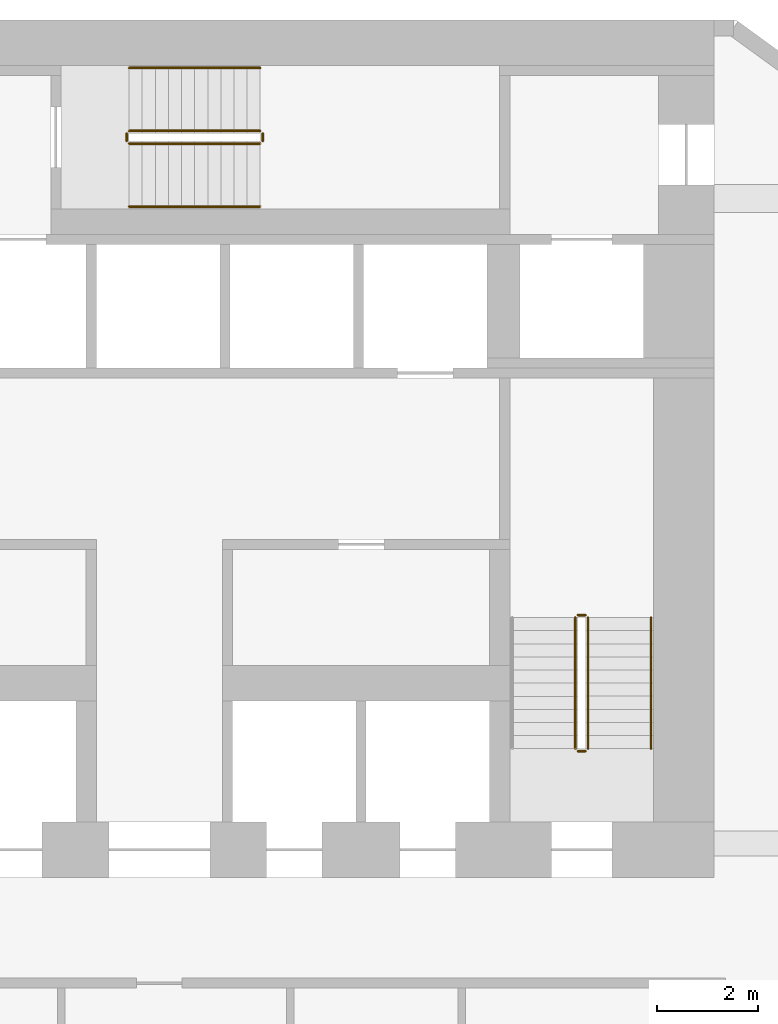
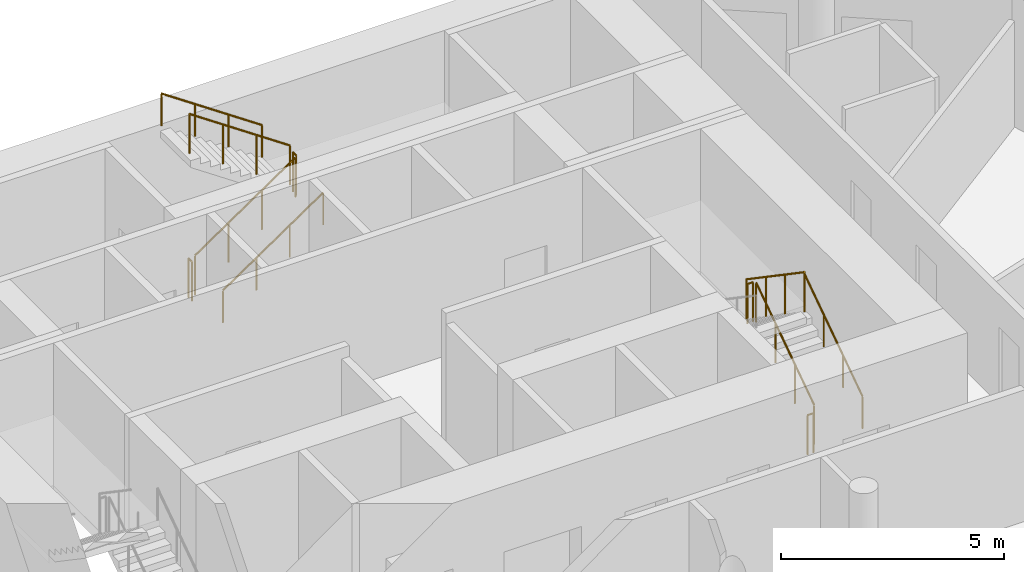
# One storey, part 9 of 9: 11 railings.
"""IFC4 building model written with IfcOpenShell, lengths in metres."""

from ifc_helpers import new_model, si_unit, direction, frame, origin, origin_2d, place, context, subcontext, project, spatial, circle, extrude, material, type_object, element, save


model = new_model("IFC4")

# Units and contexts
model_context = context("Model", 3, precision=1e-05, world=origin(), true_north=direction((0.0, 1.0)))
body_context = subcontext(model_context, "Body", "Model", "MODEL_VIEW")
ifc_project = project(units=[si_unit("LENGTHUNIT", "METRE"), si_unit("AREAUNIT", "SQUARE_METRE"), si_unit("VOLUMEUNIT", "CUBIC_METRE"), si_unit("PLANEANGLEUNIT", "RADIAN"), si_unit("MASSUNIT", "GRAM", prefix="KILO")], contexts=[model_context])

# Site, building, storey
site_placement = place(None, origin())
site = spatial("IfcSite", under=ifc_project, at=site_placement, CompositionType="ELEMENT")
building_placement = place(site_placement, origin())
building = spatial("IfcBuilding", under=site, at=building_placement, Name="White Candle Pilgrim Tower", CompositionType="ELEMENT")
storey_placement = place(building_placement, frame((0.0, 0.0, 106.39990234375)))
storey = spatial("IfcBuildingStorey", under=building, at=storey_placement, Name="L23", CompositionType="ELEMENT", Elevation=106.39990234375)

# Railings
ifc_material = material(Name="Stainless steel", Category="steel")
railing_type_1 = type_object("IfcRailingType", Name="Stair guard stainless steel 1100 mm", PredefinedType="GUARDRAIL", material=ifc_material)
railing_1_placement = place(storey_placement, frame((78.5, 73.550048828125, 0.177490234375)))
element("IfcRailing", 1, at=railing_1_placement, inside=storey, type_object=railing_type_1, Name="L23 ST2 stair guard 1", PredefinedType="GUARDRAIL", context=body_context, shape_type="SweptSolid", body=[
    extrude(circle(Radius=0.02392578125, at=origin_2d()), frame((0.0, 0.0, 1.076171875), z_axis=(0.0, 0.826215852431, 0.563353676824), x_axis=(-1.0, 0.0, 0.0)), (0.0, 0.0, 1.0), 3.146728515625),
    extrude(circle(Radius=0.02099609375, at=origin_2d()), origin(), (0.0, 0.0, 1.0), 1.052001953125),
    extrude(circle(Radius=0.02099609375, at=origin_2d()), frame((0.0, 0.86669921875, 0.5908203125)), (0.0, 0.0, 1.0), 1.052001953125),
    extrude(circle(Radius=0.02099609375, at=origin_2d()), frame((0.0, 1.733154296875, 1.181884765625)), (0.0, 0.0, 1.0), 1.052001953125),
    extrude(circle(Radius=0.02099609375, at=origin_2d()), frame((0.0, 2.599853515625, 1.772705078125)), (0.0, 0.0, 1.0), 1.052001953125),
])
railing_2_placement = place(storey_placement, frame((78.449951171875, 76.199951171875, 1.9501953125)))
element("IfcRailing", 2, at=railing_2_placement, inside=storey, type_object=railing_type_1, Name="L23 ST2 stair guard 2", PredefinedType="GUARDRAIL", context=body_context, shape_type="SweptSolid", body=[
    extrude(circle(Radius=0.02392578125, at=origin_2d()), frame((0.0, 0.0, 1.076171875), z_axis=(-1.0, 0.0, 0.0), x_axis=(0.0, -1.0, 0.0)), (0.0, 0.0, 1.0), 0.14990234375),
    extrude(circle(Radius=0.02099609375, at=origin_2d()), origin(), (0.0, 0.0, 1.0), 1.052001953125),
    extrude(circle(Radius=0.02099609375, at=origin_2d()), frame((-0.14990234375, 0.0, 0.0)), (0.0, 0.0, 1.0), 1.052001953125),
])
railing_3_placement = place(storey_placement, frame((78.25, 76.14990234375, 2.12744140625)))
element("IfcRailing", 3, at=railing_3_placement, inside=storey, type_object=railing_type_1, Name="L23 ST2 stair guard 3", PredefinedType="GUARDRAIL", context=body_context, shape_type="SweptSolid", body=[
    extrude(circle(Radius=0.02392578125, at=origin_2d()), frame((0.0, 0.0, 1.076171875), z_axis=(0.0, -0.826215852431, 0.563353676824), x_axis=(1.0, 0.0, 0.0)), (0.0, 0.0, 1.0), 3.146728515625),
    extrude(circle(Radius=0.02099609375, at=origin_2d()), origin(), (0.0, 0.0, 1.0), 1.052001953125),
    extrude(circle(Radius=0.02099609375, at=origin_2d()), frame((0.0, -0.86669921875, 0.5908203125)), (0.0, 0.0, 1.0), 1.052001953125),
    extrude(circle(Radius=0.02099609375, at=origin_2d()), frame((0.0, -1.733154296875, 1.181884765625)), (0.0, 0.0, 1.0), 1.052001953125),
    extrude(circle(Radius=0.02099609375, at=origin_2d()), frame((0.0, -2.599853515625, 1.772705078125)), (0.0, 0.0, 1.0), 1.052001953125),
])
railing_4_placement = place(storey_placement, frame((78.449951171875, 73.5, 0.0)))
element("IfcRailing", 4, at=railing_4_placement, inside=storey, type_object=railing_type_1, Name="L23 ST2 stair guard 4", PredefinedType="GUARDRAIL", context=body_context, shape_type="SweptSolid", body=[
    extrude(circle(Radius=0.02392578125, at=origin_2d()), frame((0.0, 0.0, 1.076171875), z_axis=(-1.0, 0.0, 0.0), x_axis=(0.0, -1.0, 0.0)), (0.0, 0.0, 1.0), 0.14990234375),
    extrude(circle(Radius=0.02099609375, at=origin_2d()), origin(), (0.0, 0.0, 1.0), 1.052001953125),
    extrude(circle(Radius=0.02099609375, at=origin_2d()), frame((-0.14990234375, 0.0, 0.0)), (0.0, 0.0, 1.0), 1.052001953125),
])
railing_5_placement = place(storey_placement, frame((69.39990234375, 85.550048828125, 0.177490234375)))
element("IfcRailing", 5, at=railing_5_placement, inside=storey, type_object=railing_type_1, Name="L23 ST3 stair guard 1", PredefinedType="GUARDRAIL", context=body_context, shape_type="SweptSolid", body=[
    extrude(circle(Radius=0.02392578125, at=origin_2d()), frame((0.0, 0.0, 1.076171875), z_axis=(0.826240473404, 0.0, 0.563317565952), x_axis=(0.0, 1.0, 0.0)), (0.0, 0.0, 1.0), 3.14697265625),
    extrude(circle(Radius=0.02099609375, at=origin_2d()), origin(), (0.0, 0.0, 1.0), 1.052001953125),
    extrude(circle(Radius=0.02099609375, at=origin_2d()), frame((0.86669921875, 0.0, 0.5908203125)), (0.0, 0.0, 1.0), 1.052001953125),
    extrude(circle(Radius=0.02099609375, at=origin_2d()), frame((1.7333984375, 0.0, 1.181884765625)), (0.0, 0.0, 1.0), 1.052001953125),
    extrude(circle(Radius=0.02099609375, at=origin_2d()), frame((2.60009765625, 0.0, 1.772705078125)), (0.0, 0.0, 1.0), 1.052001953125),
])
railing_6_placement = place(storey_placement, frame((72.050048828125, 85.60009765625, 1.9501953125)))
element("IfcRailing", 6, at=railing_6_placement, inside=storey, type_object=railing_type_1, Name="L23 ST3 stair guard 2", PredefinedType="GUARDRAIL", context=body_context, shape_type="SweptSolid", body=[
    extrude(circle(Radius=0.02392578125, at=origin_2d()), frame((0.0, 0.0, 1.076171875), z_axis=(0.0, 1.0, 0.0), x_axis=(-1.0, 0.0, 0.0)), (0.0, 0.0, 1.0), 0.14990234375),
    extrude(circle(Radius=0.02099609375, at=origin_2d()), origin(), (0.0, 0.0, 1.0), 1.052001953125),
    extrude(circle(Radius=0.02099609375, at=origin_2d()), frame((0.0, 0.14990234375, 0.0)), (0.0, 0.0, 1.0), 1.052001953125),
])
railing_7_placement = place(storey_placement, frame((72.0, 85.800048828125, 2.12744140625)))
element("IfcRailing", 7, at=railing_7_placement, inside=storey, type_object=railing_type_1, Name="L23 ST3 stair guard 3", PredefinedType="GUARDRAIL", context=body_context, shape_type="SweptSolid", body=[
    extrude(circle(Radius=0.02392578125, at=origin_2d()), frame((0.0, 0.0, 1.076171875), z_axis=(-0.826240473404, 0.0, 0.563317565952), x_axis=(0.0, -1.0, 0.0)), (0.0, 0.0, 1.0), 3.14697265625),
    extrude(circle(Radius=0.02099609375, at=origin_2d()), origin(), (0.0, 0.0, 1.0), 1.052001953125),
    extrude(circle(Radius=0.02099609375, at=origin_2d()), frame((-0.86669921875, 0.0, 0.5908203125)), (0.0, 0.0, 1.0), 1.052001953125),
    extrude(circle(Radius=0.02099609375, at=origin_2d()), frame((-1.7333984375, 0.0, 1.181884765625)), (0.0, 0.0, 1.0), 1.052001953125),
    extrude(circle(Radius=0.02099609375, at=origin_2d()), frame((-2.60009765625, 0.0, 1.772705078125)), (0.0, 0.0, 1.0), 1.052001953125),
])
railing_8_placement = place(storey_placement, frame((69.35009765625, 85.60009765625, 0.0)))
element("IfcRailing", 8, at=railing_8_placement, inside=storey, type_object=railing_type_1, Name="L23 ST3 stair guard 4", PredefinedType="GUARDRAIL", context=body_context, shape_type="SweptSolid", body=[
    extrude(circle(Radius=0.02392578125, at=origin_2d()), frame((0.0, 0.0, 1.076171875), z_axis=(0.0, 1.0, 0.0), x_axis=(-1.0, 0.0, 0.0)), (0.0, 0.0, 1.0), 0.14990234375),
    extrude(circle(Radius=0.02099609375, at=origin_2d()), origin(), (0.0, 0.0, 1.0), 1.052001953125),
    extrude(circle(Radius=0.02099609375, at=origin_2d()), frame((0.0, 0.14990234375, 0.0)), (0.0, 0.0, 1.0), 1.052001953125),
])
railing_type_2 = type_object("IfcRailingType", Name="Stair handrail stainless steel", PredefinedType="HANDRAIL", material=ifc_material)
railing_9_placement = place(storey_placement, frame((79.75, 73.550048828125, 0.177490234375)))
element("IfcRailing", 9, at=railing_9_placement, inside=storey, type_object=railing_type_2, Name="L23 ST2 stair handrail 1", PredefinedType="HANDRAIL", context=body_context, shape_type="SweptSolid", body=[
    extrude(circle(Radius=0.02392578125, at=origin_2d()), frame((0.0, 0.0, 0.8759765625), z_axis=(0.0, 0.826215852431, 0.563353676824), x_axis=(-1.0, 0.0, 0.0)), (0.0, 0.0, 1.0), 3.146728515625),
    extrude(circle(Radius=0.02099609375, at=origin_2d()), origin(), (0.0, 0.0, 1.0), 0.851806640625),
    extrude(circle(Radius=0.02099609375, at=origin_2d()), frame((0.0, 0.86669921875, 0.5908203125)), (0.0, 0.0, 1.0), 0.851806640625),
    extrude(circle(Radius=0.02099609375, at=origin_2d()), frame((0.0, 1.733154296875, 1.181884765625)), (0.0, 0.0, 1.0), 0.851806640625),
    extrude(circle(Radius=0.02099609375, at=origin_2d()), frame((0.0, 2.599853515625, 1.772705078125)), (0.0, 0.0, 1.0), 0.851806640625),
])
railing_10_placement = place(storey_placement, frame((69.39990234375, 84.300048828125, 0.177490234375)))
element("IfcRailing", 10, at=railing_10_placement, inside=storey, type_object=railing_type_2, Name="L23 ST3 stair handrail 1", PredefinedType="HANDRAIL", context=body_context, shape_type="SweptSolid", body=[
    extrude(circle(Radius=0.02392578125, at=origin_2d()), frame((0.0, 0.0, 0.8759765625), z_axis=(0.826240473404, 0.0, 0.563317565952), x_axis=(0.0, 1.0, 0.0)), (0.0, 0.0, 1.0), 3.14697265625),
    extrude(circle(Radius=0.02099609375, at=origin_2d()), origin(), (0.0, 0.0, 1.0), 0.851806640625),
    extrude(circle(Radius=0.02099609375, at=origin_2d()), frame((0.86669921875, 0.0, 0.5908203125)), (0.0, 0.0, 1.0), 0.851806640625),
    extrude(circle(Radius=0.02099609375, at=origin_2d()), frame((1.7333984375, 0.0, 1.181884765625)), (0.0, 0.0, 1.0), 0.851806640625),
    extrude(circle(Radius=0.02099609375, at=origin_2d()), frame((2.60009765625, 0.0, 1.772705078125)), (0.0, 0.0, 1.0), 0.851806640625),
])
railing_11_placement = place(storey_placement, frame((72.0, 87.050048828125, 2.12744140625)))
element("IfcRailing", 11, at=railing_11_placement, inside=storey, type_object=railing_type_2, Name="L23 ST3 stair handrail 2", PredefinedType="HANDRAIL", context=body_context, shape_type="SweptSolid", body=[
    extrude(circle(Radius=0.02392578125, at=origin_2d()), frame((0.0, 0.0, 0.8759765625), z_axis=(-0.826240473404, 0.0, 0.563317565952), x_axis=(0.0, -1.0, 0.0)), (0.0, 0.0, 1.0), 3.14697265625),
    extrude(circle(Radius=0.02099609375, at=origin_2d()), origin(), (0.0, 0.0, 1.0), 0.851806640625),
    extrude(circle(Radius=0.02099609375, at=origin_2d()), frame((-0.86669921875, 0.0, 0.5908203125)), (0.0, 0.0, 1.0), 0.851806640625),
    extrude(circle(Radius=0.02099609375, at=origin_2d()), frame((-1.7333984375, 0.0, 1.181884765625)), (0.0, 0.0, 1.0), 0.851806640625),
    extrude(circle(Radius=0.02099609375, at=origin_2d()), frame((-2.60009765625, 0.0, 1.772705078125)), (0.0, 0.0, 1.0), 0.851806640625),
])

save(model, "model.ifc")
